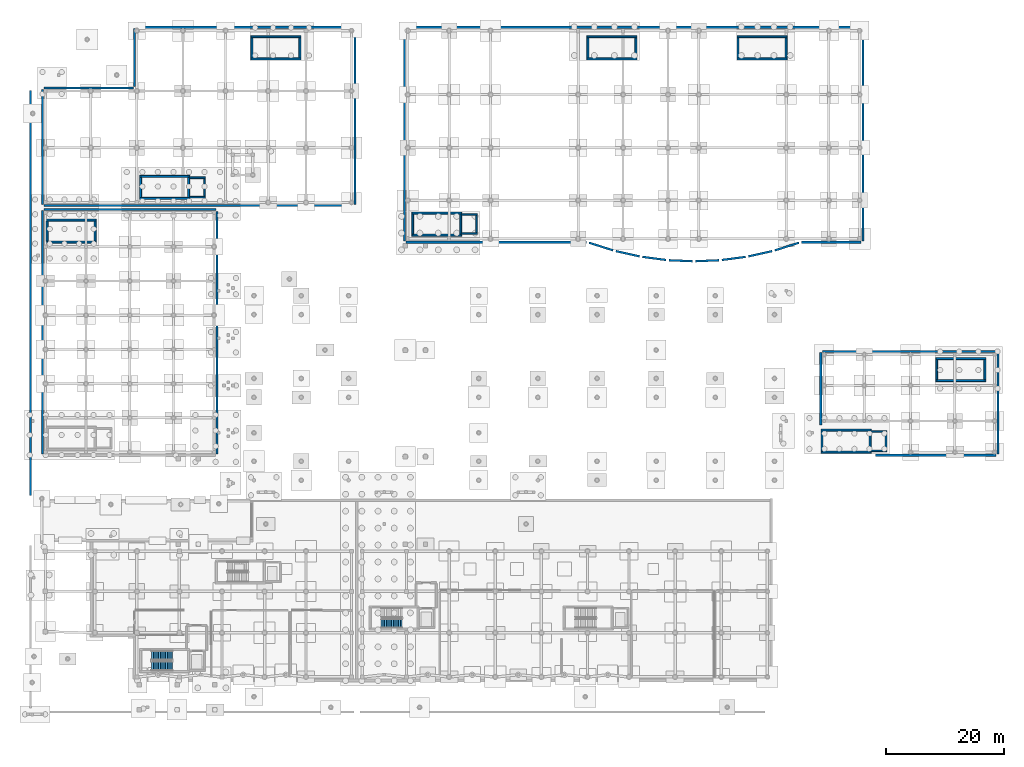
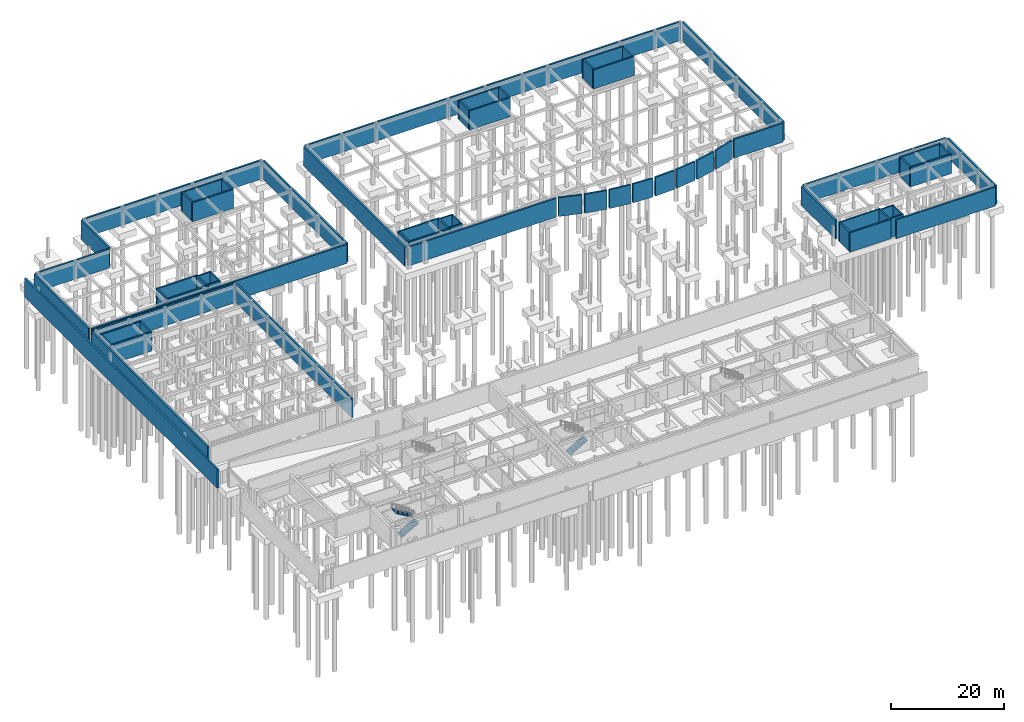
# One storey, part 18 of 22: 68 walls, 3 stair flights, 2 elements without a shape of their own.
"""IFC4 building model written with IfcOpenShell, lengths in metres."""

from ifc_helpers import new_model, si_unit, direction, frame, frame_2d, origin, place, context, subcontext, project, spatial, polyline, rectangle, outline, extrude, material, layer, layer_set, type_object, element, aggregate, save


model = new_model("IFC4")

# Units and contexts
model_context = context("Model", 3, precision=1e-05, world=origin(), true_north=direction((0.0, 1.0)))
body_context = subcontext(model_context, "Body", "Model", "MODEL_VIEW")
ifc_project = project(units=[si_unit("LENGTHUNIT", "METRE"), si_unit("AREAUNIT", "SQUARE_METRE"), si_unit("VOLUMEUNIT", "CUBIC_METRE"), si_unit("PLANEANGLEUNIT", "RADIAN"), si_unit("MASSUNIT", "GRAM", prefix="KILO")], contexts=[model_context])

# Site, building, storey
site_placement = place(None, origin())
site = spatial("IfcSite", under=ifc_project, at=site_placement, CompositionType="ELEMENT")
building_placement = place(site_placement, origin())
building = spatial("IfcBuilding", under=site, at=building_placement, Name="Valcora Specialist Clinic", CompositionType="ELEMENT")
storey_placement = place(building_placement, frame((0.0, 0.0, -4.419921875)))
storey = spatial("IfcBuildingStorey", under=building, at=storey_placement, Name="B1", CompositionType="ELEMENT", Elevation=-4.419921875)

# Walls
ifc_material_1 = material(Name="Concrete C40/50", Category="concrete")
ifc_layer_1 = layer(ifc_material_1, 0.320068359375)
ifc_layer_set_1 = layer_set([ifc_layer_1], Name="Concrete C40/50")
wall_type_1 = type_object("IfcWallType", Name="TY-WL-CR320", PredefinedType="SHEAR", material=ifc_layer_set_1)
for number, where, z_axis, x_axis, name in (
    (1, (0.8798828125, 74.239990234375, 0.0), (0.0, 0.0, 1.0), (1.0, 0.0, 0.0), "Core shear wall WL-CR-C-V1B-B1-S"),
    (2, (0.8798828125, 77.9599609375, 0.0), (0.0, 0.0, 1.0), (1.0, 0.0, 0.0), "Core shear wall WL-CR-C-V1B-B1-N"),
):
    element("IfcWall", number, at=place(storey_placement, frame(where, z_axis=z_axis, x_axis=x_axis)), inside=storey, type_object=wall_type_1, Name=name, PredefinedType="SHEAR", context=body_context, shape_type="SweptSolid", body=[
        extrude(rectangle(XDim=8.440185546875, YDim=0.320068359375, at=frame_2d((4.22021484375, 0.0))), origin(), (0.0, 0.0, 1.0), 4.119873046875),
    ])
for number, where, z_axis, x_axis, name in (
    (3, (1.0400390625, 74.402099609375, 0.0), (0.0, 0.0, 1.0), (0.0, 1.0, 0.0), "Core shear wall WL-CR-C-V1B-B1-W"),
    (4, (9.159912109375, 74.402099609375, 0.0), (0.0, 0.0, 1.0), (0.0, 1.0, 0.0), "Core shear wall WL-CR-C-V1B-B1-E"),
):
    element("IfcWall", number, at=place(storey_placement, frame(where, z_axis=z_axis, x_axis=x_axis)), inside=storey, type_object=wall_type_1, Name=name, PredefinedType="SHEAR", context=body_context, shape_type="SweptSolid", body=[
        extrude(rectangle(XDim=3.39599609375, YDim=0.320068359375, at=frame_2d((1.697998046875, 0.0))), origin(), (0.0, 0.0, 1.0), 4.119873046875),
    ])
for number, where, z_axis, x_axis, name in (
    (5, (16.679931640625, 81.639892578125, 0.0), (0.0, 0.0, 1.0), (1.0, 0.0, 0.0), "Core shear wall WL-CR-C-V2A-B1-S"),
    (6, (16.679931640625, 85.360107421875, 0.0), (0.0, 0.0, 1.0), (1.0, 0.0, 0.0), "Core shear wall WL-CR-C-V2A-B1-N"),
):
    element("IfcWall", number, at=place(storey_placement, frame(where, z_axis=z_axis, x_axis=x_axis)), inside=storey, type_object=wall_type_1, Name=name, PredefinedType="SHEAR", context=body_context, shape_type="SweptSolid", body=[
        extrude(rectangle(XDim=8.440185546875, YDim=0.320068359375, at=frame_2d((4.22021484375, 0.0))), origin(), (0.0, 0.0, 1.0), 4.08984375),
    ])
for number, where, z_axis, x_axis, name in (
    (7, (16.840087890625, 81.802001953125, 0.0), (0.0, 0.0, 1.0), (0.0, 1.0, 0.0), "Core shear wall WL-CR-C-V2A-B1-W"),
    (8, (24.9599609375, 81.802001953125, 0.0), (0.0, 0.0, 1.0), (0.0, 1.0, 0.0), "Core shear wall WL-CR-C-V2A-B1-E"),
):
    element("IfcWall", number, at=place(storey_placement, frame(where, z_axis=z_axis, x_axis=x_axis)), inside=storey, type_object=wall_type_1, Name=name, PredefinedType="SHEAR", context=body_context, shape_type="SweptSolid", body=[
        extrude(rectangle(XDim=3.39599609375, YDim=0.320068359375, at=frame_2d((1.697998046875, 0.0))), origin(), (0.0, 0.0, 1.0), 4.08984375),
    ])
for number, where, z_axis, x_axis, name in (
    (9, (35.47998046875, 105.239990234375, 0.0), (0.0, 0.0, 1.0), (1.0, 0.0, 0.0), "Core shear wall WL-CR-C-V2B-B1-S"),
    (10, (35.47998046875, 108.9599609375, 0.0), (0.0, 0.0, 1.0), (1.0, 0.0, 0.0), "Core shear wall WL-CR-C-V2B-B1-N"),
):
    element("IfcWall", number, at=place(storey_placement, frame(where, z_axis=z_axis, x_axis=x_axis)), inside=storey, type_object=wall_type_1, Name=name, PredefinedType="SHEAR", context=body_context, shape_type="SweptSolid", body=[
        extrude(rectangle(XDim=8.43994140625, YDim=0.320068359375, at=frame_2d((4.219970703125, 0.0))), origin(), (0.0, 0.0, 1.0), 4.08984375),
    ])
for number, where, z_axis, x_axis, name in (
    (11, (35.639892578125, 105.402099609375, 0.0), (0.0, 0.0, 1.0), (0.0, 1.0, 0.0), "Core shear wall WL-CR-C-V2B-B1-W"),
    (12, (43.760009765625, 105.402099609375, 0.0), (0.0, 0.0, 1.0), (0.0, 1.0, 0.0), "Core shear wall WL-CR-C-V2B-B1-E"),
):
    element("IfcWall", number, at=place(storey_placement, frame(where, z_axis=z_axis, x_axis=x_axis)), inside=storey, type_object=wall_type_1, Name=name, PredefinedType="SHEAR", context=body_context, shape_type="SweptSolid", body=[
        extrude(rectangle(XDim=3.39599609375, YDim=0.320068359375, at=frame_2d((1.697998046875, 0.0))), origin(), (0.0, 0.0, 1.0), 4.08984375),
    ])
for number, where, z_axis, x_axis, name in (
    (13, (131.8798828125, 38.739990234375, 0.0), (0.0, 0.0, 1.0), (1.0, 0.0, 0.0), "Core shear wall WL-CR-C-V3A-B1-S"),
    (14, (131.8798828125, 42.4599609375, 0.0), (0.0, 0.0, 1.0), (1.0, 0.0, 0.0), "Core shear wall WL-CR-C-V3A-B1-N"),
):
    element("IfcWall", number, at=place(storey_placement, frame(where, z_axis=z_axis, x_axis=x_axis)), inside=storey, type_object=wall_type_1, Name=name, PredefinedType="SHEAR", context=body_context, shape_type="SweptSolid", body=[
        extrude(rectangle(XDim=8.440185546875, YDim=0.320068359375, at=frame_2d((4.22021484375, 0.0))), origin(), (0.0, 0.0, 1.0), 4.159912109375),
    ])
for number, where, z_axis, x_axis, name in (
    (15, (132.0400390625, 38.902099609375, 0.0), (0.0, 0.0, 1.0), (0.0, 1.0, 0.0), "Core shear wall WL-CR-C-V3A-B1-W"),
    (16, (140.159912109375, 38.902099609375, 0.0), (0.0, 0.0, 1.0), (0.0, 1.0, 0.0), "Core shear wall WL-CR-C-V3A-B1-E"),
):
    element("IfcWall", number, at=place(storey_placement, frame(where, z_axis=z_axis, x_axis=x_axis)), inside=storey, type_object=wall_type_1, Name=name, PredefinedType="SHEAR", context=body_context, shape_type="SweptSolid", body=[
        extrude(rectangle(XDim=3.39599609375, YDim=0.320068359375, at=frame_2d((1.697998046875, 0.0))), origin(), (0.0, 0.0, 1.0), 4.159912109375),
    ])
for number, where, z_axis, x_axis, name in (
    (17, (151.280029296875, 50.840087890625, 0.0), (0.0, 0.0, 1.0), (1.0, 0.0, 0.0), "Core shear wall WL-CR-C-V3B-B1-S"),
    (18, (151.280029296875, 54.56005859375, 0.0), (0.0, 0.0, 1.0), (1.0, 0.0, 0.0), "Core shear wall WL-CR-C-V3B-B1-N"),
):
    element("IfcWall", number, at=place(storey_placement, frame(where, z_axis=z_axis, x_axis=x_axis)), inside=storey, type_object=wall_type_1, Name=name, PredefinedType="SHEAR", context=body_context, shape_type="SweptSolid", body=[
        extrude(rectangle(XDim=8.43994140625, YDim=0.320068359375, at=frame_2d((4.219970703125, 0.0))), origin(), (0.0, 0.0, 1.0), 4.159912109375),
    ])
for number, where, z_axis, x_axis, name in (
    (19, (151.43994140625, 51.001953125, 0.0), (0.0, 0.0, 1.0), (0.0, 1.0, 0.0), "Core shear wall WL-CR-C-V3B-B1-W"),
    (20, (159.56005859375, 51.001953125, 0.0), (0.0, 0.0, 1.0), (0.0, 1.0, 0.0), "Core shear wall WL-CR-C-V3B-B1-E"),
):
    element("IfcWall", number, at=place(storey_placement, frame(where, z_axis=z_axis, x_axis=x_axis)), inside=storey, type_object=wall_type_1, Name=name, PredefinedType="SHEAR", context=body_context, shape_type="SweptSolid", body=[
        extrude(rectangle(XDim=3.39599609375, YDim=0.320068359375, at=frame_2d((1.697998046875, 0.0))), origin(), (0.0, 0.0, 1.0), 4.159912109375),
    ])
for number, where, z_axis, x_axis, name in (
    (21, (62.679931640625, 75.43994140625, 0.0), (0.0, 0.0, 1.0), (1.0, 0.0, 0.0), "Core shear wall WL-CR-C-V4A-B1-S"),
    (22, (62.679931640625, 79.159912109375, 0.0), (0.0, 0.0, 1.0), (1.0, 0.0, 0.0), "Core shear wall WL-CR-C-V4A-B1-N"),
):
    element("IfcWall", number, at=place(storey_placement, frame(where, z_axis=z_axis, x_axis=x_axis)), inside=storey, type_object=wall_type_1, Name=name, PredefinedType="SHEAR", context=body_context, shape_type="SweptSolid", body=[
        extrude(rectangle(XDim=8.440185546875, YDim=0.320068359375, at=frame_2d((4.22021484375, 0.0))), origin(), (0.0, 0.0, 1.0), 4.119873046875),
    ])
for number, where, z_axis, x_axis, name in (
    (23, (62.840087890625, 75.60205078125, 0.0), (0.0, 0.0, 1.0), (0.0, 1.0, 0.0), "Core shear wall WL-CR-C-V4A-B1-W"),
    (24, (70.9599609375, 75.60205078125, 0.0), (0.0, 0.0, 1.0), (0.0, 1.0, 0.0), "Core shear wall WL-CR-C-V4A-B1-E"),
):
    element("IfcWall", number, at=place(storey_placement, frame(where, z_axis=z_axis, x_axis=x_axis)), inside=storey, type_object=wall_type_1, Name=name, PredefinedType="SHEAR", context=body_context, shape_type="SweptSolid", body=[
        extrude(rectangle(XDim=3.39599609375, YDim=0.320068359375, at=frame_2d((1.697998046875, 0.0))), origin(), (0.0, 0.0, 1.0), 4.119873046875),
    ])
for number, where, z_axis, x_axis, name in (
    (25, (92.280029296875, 105.239990234375, 0.0), (0.0, 0.0, 1.0), (1.0, 0.0, 0.0), "Core shear wall WL-CR-C-V4B-B1-S"),
    (26, (92.280029296875, 108.9599609375, 0.0), (0.0, 0.0, 1.0), (1.0, 0.0, 0.0), "Core shear wall WL-CR-C-V4B-B1-N"),
):
    element("IfcWall", number, at=place(storey_placement, frame(where, z_axis=z_axis, x_axis=x_axis)), inside=storey, type_object=wall_type_1, Name=name, PredefinedType="SHEAR", context=body_context, shape_type="SweptSolid", body=[
        extrude(rectangle(XDim=8.43994140625, YDim=0.320068359375, at=frame_2d((4.219970703125, 0.0))), origin(), (0.0, 0.0, 1.0), 4.119873046875),
    ])
for number, where, z_axis, x_axis, name in (
    (27, (92.43994140625, 105.402099609375, 0.0), (0.0, 0.0, 1.0), (0.0, 1.0, 0.0), "Core shear wall WL-CR-C-V4B-B1-W"),
    (28, (100.56005859375, 105.402099609375, 0.0), (0.0, 0.0, 1.0), (0.0, 1.0, 0.0), "Core shear wall WL-CR-C-V4B-B1-E"),
):
    element("IfcWall", number, at=place(storey_placement, frame(where, z_axis=z_axis, x_axis=x_axis)), inside=storey, type_object=wall_type_1, Name=name, PredefinedType="SHEAR", context=body_context, shape_type="SweptSolid", body=[
        extrude(rectangle(XDim=3.39599609375, YDim=0.320068359375, at=frame_2d((1.697998046875, 0.0))), origin(), (0.0, 0.0, 1.0), 4.119873046875),
    ])
for number, where, z_axis, x_axis, name in (
    (29, (117.679931640625, 105.239990234375, 0.0), (0.0, 0.0, 1.0), (1.0, 0.0, 0.0), "Core shear wall WL-CR-C-V4C-B1-S"),
    (30, (117.679931640625, 108.9599609375, 0.0), (0.0, 0.0, 1.0), (1.0, 0.0, 0.0), "Core shear wall WL-CR-C-V4C-B1-N"),
):
    element("IfcWall", number, at=place(storey_placement, frame(where, z_axis=z_axis, x_axis=x_axis)), inside=storey, type_object=wall_type_1, Name=name, PredefinedType="SHEAR", context=body_context, shape_type="SweptSolid", body=[
        extrude(rectangle(XDim=8.440185546875, YDim=0.320068359375, at=frame_2d((4.22021484375, 0.0))), origin(), (0.0, 0.0, 1.0), 4.119873046875),
    ])
for number, where, z_axis, x_axis, name in (
    (31, (117.840087890625, 105.402099609375, 0.0), (0.0, 0.0, 1.0), (0.0, 1.0, 0.0), "Core shear wall WL-CR-C-V4C-B1-W"),
    (32, (125.9599609375, 105.402099609375, 0.0), (0.0, 0.0, 1.0), (0.0, 1.0, 0.0), "Core shear wall WL-CR-C-V4C-B1-E"),
):
    element("IfcWall", number, at=place(storey_placement, frame(where, z_axis=z_axis, x_axis=x_axis)), inside=storey, type_object=wall_type_1, Name=name, PredefinedType="SHEAR", context=body_context, shape_type="SweptSolid", body=[
        extrude(rectangle(XDim=3.39599609375, YDim=0.320068359375, at=frame_2d((1.697998046875, 0.0))), origin(), (0.0, 0.0, 1.0), 4.119873046875),
    ])
ifc_material_2 = material(Name="Extruded Jalisco Clay Brick Masonry", Category="masonry")
ifc_layer_2 = layer(ifc_material_2, 0.35498046875)
ifc_layer_set_2 = layer_set([ifc_layer_2], Name="Extruded Jalisco Clay Brick Masonry")
wall_type_2 = type_object("IfcWallType", Name="TY-WL-EW355", PredefinedType="SOLIDWALL", material=ifc_layer_set_2)
wall_1_placement = place(storey_placement, frame((0.219970703125, 38.43994140625, 0.0), z_axis=(0.0, 0.0, 1.0), x_axis=(0.0, 1.0, 0.0)))
element("IfcWall", 33, at=wall_1_placement, inside=storey, type_object=wall_type_2, Name="Sub-grade brick plinth wall 1", PredefinedType="SOLIDWALL", context=body_context, shape_type="SweptSolid", body=[
    extrude(rectangle(XDim=41.1201171875, YDim=0.35498046875, at=frame_2d((20.56005859375, 0.0))), origin(), (0.0, 0.0, 1.0), 4.079833984375),
])
wall_2_placement = place(storey_placement, frame((0.535400390625, 79.780029296875, 0.0), z_axis=(0.0, 0.0, 1.0), x_axis=(1.0, 0.0, 0.0)))
element("IfcWall", 34, at=wall_2_placement, inside=storey, type_object=wall_type_2, Name="Sub-grade brick plinth wall 2", PredefinedType="SOLIDWALL", context=body_context, shape_type="SweptSolid", body=[
    extrude(rectangle(XDim=29.024658203125, YDim=0.35498046875, at=frame_2d((14.51220703125, 0.0))), origin(), (0.0, 0.0, 1.0), 4.079833984375),
])
wall_3_placement = place(storey_placement, frame((29.780029296875, 79.464599609375, 0.0), z_axis=(0.0, 0.0, 1.0), x_axis=(0.0, -1.0, 0.0)))
element("IfcWall", 35, at=wall_3_placement, inside=storey, type_object=wall_type_2, Name="Sub-grade brick plinth wall 3", PredefinedType="SOLIDWALL", context=body_context, shape_type="SweptSolid", body=[
    extrude(rectangle(XDim=41.024658203125, YDim=0.35498046875, at=frame_2d((20.51220703125, 0.0))), origin(), (0.0, 0.0, 1.0), 4.079833984375),
])
wall_4_placement = place(storey_placement, frame((0.219970703125, 80.639892578125, 0.0), z_axis=(0.0, 0.0, 1.0), x_axis=(0.0, 1.0, 0.0)))
element("IfcWall", 36, at=wall_4_placement, inside=storey, type_object=wall_type_2, Name="Sub-grade brick plinth wall 5", PredefinedType="SOLIDWALL", context=body_context, shape_type="SweptSolid", body=[
    extrude(rectangle(XDim=19.420166015625, YDim=0.35498046875, at=frame_2d((9.7099609375, 0.0))), origin(), (0.0, 0.0, 1.0), 4.079833984375),
])
wall_5_placement = place(storey_placement, frame((0.535400390625, 100.280029296875, 0.0), z_axis=(0.0, 0.0, 1.0), x_axis=(1.0, 0.0, 0.0)))
element("IfcWall", 37, at=wall_5_placement, inside=storey, type_object=wall_type_2, Name="Sub-grade brick plinth wall 6", PredefinedType="SOLIDWALL", context=body_context, shape_type="SweptSolid", body=[
    extrude(rectangle(XDim=15.064697265625, YDim=0.35498046875, at=frame_2d((7.5322265625, 0.0))), origin(), (0.0, 0.0, 1.0), 4.079833984375),
])
wall_6_placement = place(storey_placement, frame((15.820068359375, 100.595458984375, 0.0), z_axis=(0.0, 0.0, 1.0), x_axis=(0.0, 1.0, 0.0)))
element("IfcWall", 38, at=wall_6_placement, inside=storey, type_object=wall_type_2, Name="Sub-grade brick plinth wall 7", PredefinedType="SOLIDWALL", context=body_context, shape_type="SweptSolid", body=[
    extrude(rectangle(XDim=9.7646484375, YDim=0.35498046875, at=frame_2d((4.88232421875, 0.0))), origin(), (0.0, 0.0, 1.0), 4.079833984375),
])
wall_7_placement = place(storey_placement, frame((16.135498046875, 110.580078125, 0.0), z_axis=(0.0, 0.0, 1.0), x_axis=(1.0, 0.0, 0.0)))
element("IfcWall", 39, at=wall_7_placement, inside=storey, type_object=wall_type_2, Name="Sub-grade brick plinth wall 8", PredefinedType="SOLIDWALL", context=body_context, shape_type="SweptSolid", body=[
    extrude(rectangle(XDim=36.724609375, YDim=0.35498046875, at=frame_2d((18.3623046875, 0.0))), origin(), (0.0, 0.0, 1.0), 4.079833984375),
])
wall_8_placement = place(storey_placement, frame((53.080078125, 110.264404296875, 0.0), z_axis=(0.0, 0.0, 1.0), x_axis=(0.0, -1.0, 0.0)))
element("IfcWall", 40, at=wall_8_placement, inside=storey, type_object=wall_type_2, Name="Sub-grade brick plinth wall 9", PredefinedType="SOLIDWALL", context=body_context, shape_type="SweptSolid", body=[
    extrude(rectangle(XDim=29.62451171875, YDim=0.35498046875, at=frame_2d((14.812255859375, 0.0))), origin(), (0.0, 0.0, 1.0), 4.079833984375),
])
wall_9_placement = place(storey_placement, frame((52.764404296875, 80.419921875, 0.0), z_axis=(0.0, 0.0, 1.0), x_axis=(-1.0, 0.0, 0.0)))
element("IfcWall", 41, at=wall_9_placement, inside=storey, type_object=wall_type_2, Name="Sub-grade brick plinth wall 10", PredefinedType="SOLIDWALL", context=body_context, shape_type="SweptSolid", body=[
    extrude(rectangle(XDim=52.22900390625, YDim=0.35498046875, at=frame_2d((26.114501953125, 0.0))), origin(), (0.0, 0.0, 1.0), 4.079833984375),
])
wall_10_placement = place(storey_placement, frame((131.820068359375, 43.3701171875, 0.0), z_axis=(0.0, 0.0, 1.0), x_axis=(0.0, 1.0, 0.0)))
element("IfcWall", 42, at=wall_10_placement, inside=storey, type_object=wall_type_2, Name="Sub-grade brick plinth wall 11", PredefinedType="SOLIDWALL", context=body_context, shape_type="SweptSolid", body=[
    extrude(rectangle(XDim=12.18994140625, YDim=0.35498046875, at=frame_2d((6.094970703125, 0.0))), origin(), (0.0, 0.0, 1.0), 4.079833984375),
])
wall_11_placement = place(storey_placement, frame((132.135498046875, 55.780029296875, 0.0), z_axis=(0.0, 0.0, 1.0), x_axis=(1.0, 0.0, 0.0)))
element("IfcWall", 43, at=wall_11_placement, inside=storey, type_object=wall_type_2, Name="Sub-grade brick plinth wall 12", PredefinedType="SOLIDWALL", context=body_context, shape_type="SweptSolid", body=[
    extrude(rectangle(XDim=29.424560546875, YDim=0.35498046875, at=frame_2d((14.71240234375, 0.0))), origin(), (0.0, 0.0, 1.0), 4.079833984375),
])
wall_12_placement = place(storey_placement, frame((161.780029296875, 55.464599609375, 0.0), z_axis=(0.0, 0.0, 1.0), x_axis=(0.0, -1.0, 0.0)))
element("IfcWall", 44, at=wall_12_placement, inside=storey, type_object=wall_type_2, Name="Sub-grade brick plinth wall 13", PredefinedType="SOLIDWALL", context=body_context, shape_type="SweptSolid", body=[
    extrude(rectangle(XDim=17.024658203125, YDim=0.35498046875, at=frame_2d((8.51220703125, 0.0))), origin(), (0.0, 0.0, 1.0), 4.079833984375),
])
wall_13_placement = place(storey_placement, frame((161.464599609375, 38.219970703125, 0.0), z_axis=(0.0, 0.0, 1.0), x_axis=(-1.0, 0.0, 0.0)))
element("IfcWall", 45, at=wall_13_placement, inside=storey, type_object=wall_type_2, Name="Sub-grade brick plinth wall 14", PredefinedType="SOLIDWALL", context=body_context, shape_type="SweptSolid", body=[
    extrude(rectangle(XDim=20.39453125, YDim=0.35498046875, at=frame_2d((10.197265625, 0.0))), origin(), (0.0, 0.0, 1.0), 4.079833984375),
])
wall_14_placement = place(storey_placement, frame((61.419921875, 74.43994140625, 0.0), z_axis=(0.0, 0.0, 1.0), x_axis=(0.0, 1.0, 0.0)))
element("IfcWall", 46, at=wall_14_placement, inside=storey, type_object=wall_type_2, Name="Sub-grade brick plinth wall 15", PredefinedType="SOLIDWALL", context=body_context, shape_type="SweptSolid", body=[
    extrude(rectangle(XDim=35.920166015625, YDim=0.35498046875, at=frame_2d((17.9599609375, 0.0))), origin(), (0.0, 0.0, 1.0), 4.079833984375),
])
wall_15_placement = place(storey_placement, frame((61.735595703125, 110.580078125, 0.0), z_axis=(0.0, 0.0, 1.0), x_axis=(1.0, 0.0, 0.0)))
element("IfcWall", 47, at=wall_15_placement, inside=storey, type_object=wall_type_2, Name="Sub-grade brick plinth wall 16", PredefinedType="SOLIDWALL", context=body_context, shape_type="SweptSolid", body=[
    extrude(rectangle(XDim=77.0244140625, YDim=0.35498046875, at=frame_2d((38.51220703125, 0.0))), origin(), (0.0, 0.0, 1.0), 4.079833984375),
])
wall_16_placement = place(storey_placement, frame((138.97998046875, 110.264404296875, 0.0), z_axis=(0.0, 0.0, 1.0), x_axis=(0.0, -1.0, 0.0)))
element("IfcWall", 48, at=wall_16_placement, inside=storey, type_object=wall_type_2, Name="Sub-grade brick plinth wall 17", PredefinedType="SOLIDWALL", context=body_context, shape_type="SweptSolid", body=[
    extrude(rectangle(XDim=35.824462890625, YDim=0.35498046875, at=frame_2d((17.912109375, 0.0))), origin(), (0.0, 0.0, 1.0), 4.079833984375),
])
wall_17_placement = place(storey_placement, frame((138.66455078125, 74.219970703125, 0.0), z_axis=(0.0, 0.0, 1.0), x_axis=(-1.0, 0.0, 0.0)))
element("IfcWall", 49, at=wall_17_placement, inside=storey, type_object=wall_type_2, Name="Sub-grade brick plinth wall 18", PredefinedType="SOLIDWALL", context=body_context, shape_type="SweptSolid", body=[
    extrude(rectangle(XDim=10.078857421875, YDim=0.35498046875, at=frame_2d((5.03955078125, 0.0))), origin(), (0.0, 0.0, 1.0), 4.079833984375),
])
wall_18_placement = place(storey_placement, frame((128.136474609375, 74.14697265625, 0.0), z_axis=(0.0, 0.0, 1.0), x_axis=(-0.952923535691, -0.303210710771, 0.0)))
element("IfcWall", 50, at=wall_18_placement, inside=storey, type_object=wall_type_2, Name="Sub-grade brick plinth wall 19", PredefinedType="SOLIDWALL", context=body_context, shape_type="SweptSolid", body=[
    extrude(rectangle(XDim=4.285888671875, YDim=0.35498046875, at=frame_2d((2.14306640625, 0.0))), origin(), (0.0, 0.0, 1.0), 4.079833984375),
])
wall_19_placement = place(storey_placement, frame((123.6083984375, 72.728515625, 0.0), z_axis=(0.0, 0.0, 1.0), x_axis=(-0.976284333634, -0.216492262914, 0.0)))
element("IfcWall", 51, at=wall_19_placement, inside=storey, type_object=wall_type_2, Name="Sub-grade brick plinth wall 20", PredefinedType="SOLIDWALL", context=body_context, shape_type="SweptSolid", body=[
    extrude(rectangle(XDim=4.129638671875, YDim=0.35498046875, at=frame_2d((2.06494140625, 0.0))), origin(), (0.0, 0.0, 1.0), 4.079833984375),
])
wall_20_placement = place(storey_placement, frame((119.123779296875, 71.755615234375, 0.0), z_axis=(0.0, 0.0, 1.0), x_axis=(-0.991517029402, -0.12997684565, 0.0)))
element("IfcWall", 52, at=wall_20_placement, inside=storey, type_object=wall_type_2, Name="Sub-grade brick plinth wall 21", PredefinedType="SOLIDWALL", context=body_context, shape_type="SweptSolid", body=[
    extrude(rectangle(XDim=4.05908203125, YDim=0.35498046875, at=frame_2d((2.029541015625, 0.0))), origin(), (0.0, 0.0, 1.0), 4.079833984375),
])
for number, where, z_axis, x_axis, name in (
    (53, (114.64111328125, 71.18896484375, 0.0), (0.0, 0.0, 1.0), (-0.99906175783, -0.043308244496, 0.0), "Sub-grade brick plinth wall 22"),
    (54, (110.16015625, 71.015625, 0.0), (0.0, 0.0, 1.0), (-0.99906175783, 0.043308244496, 0.0), "Sub-grade brick plinth wall 23"),
):
    element("IfcWall", number, at=place(storey_placement, frame(where, z_axis=z_axis, x_axis=x_axis)), inside=storey, type_object=wall_type_2, Name=name, PredefinedType="SOLIDWALL", context=body_context, shape_type="SweptSolid", body=[
        extrude(rectangle(XDim=4.02490234375, YDim=0.35498046875, at=frame_2d((2.012451171875, 0.0))), origin(), (0.0, 0.0, 1.0), 4.079833984375),
    ])
wall_21_placement = place(storey_placement, frame((105.68115234375, 71.230712890625, 0.0), z_axis=(0.0, 0.0, 1.0), x_axis=(-0.991518045427, 0.129969094757, 0.0)))
element("IfcWall", 55, at=wall_21_placement, inside=storey, type_object=wall_type_2, Name="Sub-grade brick plinth wall 24", PredefinedType="SOLIDWALL", context=body_context, shape_type="SweptSolid", body=[
    extrude(rectangle(XDim=4.059326171875, YDim=0.35498046875, at=frame_2d((2.02978515625, 0.0))), origin(), (0.0, 0.0, 1.0), 4.079833984375),
])
wall_22_placement = place(storey_placement, frame((101.203857421875, 71.8388671875, 0.0), z_axis=(0.0, 0.0, 1.0), x_axis=(-0.976284333634, 0.216492262914, 0.0)))
element("IfcWall", 56, at=wall_22_placement, inside=storey, type_object=wall_type_2, Name="Sub-grade brick plinth wall 25", PredefinedType="SOLIDWALL", context=body_context, shape_type="SweptSolid", body=[
    extrude(rectangle(XDim=4.129638671875, YDim=0.35498046875, at=frame_2d((2.06494140625, 0.0))), origin(), (0.0, 0.0, 1.0), 4.079833984375),
])
wall_23_placement = place(storey_placement, frame((96.728515625, 72.853515625, 0.0), z_axis=(0.0, 0.0, 1.0), x_axis=(-0.952917551612, 0.303229516752, 0.0)))
element("IfcWall", 57, at=wall_23_placement, inside=storey, type_object=wall_type_2, Name="Sub-grade brick plinth wall 26", PredefinedType="SOLIDWALL", context=body_context, shape_type="SweptSolid", body=[
    extrude(rectangle(XDim=4.28662109375, YDim=0.35498046875, at=frame_2d((2.143310546875, 0.0))), origin(), (0.0, 0.0, 1.0), 4.079833984375),
])
wall_24_placement = place(storey_placement, frame((92.193603515625, 74.219970703125, 0.0), z_axis=(0.0, 0.0, 1.0), x_axis=(-1.0, 0.0, 0.0)))
element("IfcWall", 58, at=wall_24_placement, inside=storey, type_object=wall_type_2, Name="Sub-grade brick plinth wall 27", PredefinedType="SOLIDWALL", context=body_context, shape_type="SweptSolid", body=[
    extrude(rectangle(XDim=30.4580078125, YDim=0.35498046875, at=frame_2d((15.22900390625, 0.0))), origin(), (0.0, 0.0, 1.0), 4.079833984375),
])
wall_25_placement = place(storey_placement, frame((-1.800048828125, 31.419921875, 0.0), z_axis=(0.0, 0.0, 1.0), x_axis=(0.0, 1.0, 0.0)))
element("IfcWall", 59, at=wall_25_placement, inside=storey, type_object=wall_type_2, Name="Sub-grade brick plinth wall 31", PredefinedType="SOLIDWALL", context=body_context, shape_type="SweptSolid", body=[
    extrude(rectangle(XDim=68.4599609375, YDim=0.35498046875, at=frame_2d((34.22998046875, 0.0))), origin(), (0.0, 0.0, 1.0), 4.079833984375),
])
ifc_layer_3 = layer(ifc_material_1, 0.260009765625)
ifc_layer_set_3 = layer_set([ifc_layer_3], Name="Concrete C40/50")
wall_type_3 = type_object("IfcWallType", Name="TY-WL-SH260", PredefinedType="SHEAR", material=ifc_layer_set_3)
for number, where, z_axis, x_axis, name in (
    (60, (25.1220703125, 81.8701171875, 0.0), (0.0, 0.0, 1.0), (1.0, 0.0, 0.0), "Lift shaft wall WL-LF-LF-02-B1-LS"),
    (61, (25.1220703125, 85.1298828125, 0.0), (0.0, 0.0, 1.0), (1.0, 0.0, 0.0), "Lift shaft wall WL-LF-LF-02-B1-LN"),
):
    element("IfcWall", number, at=place(storey_placement, frame(where, z_axis=z_axis, x_axis=x_axis)), inside=storey, type_object=wall_type_3, Name=name, PredefinedType="SHEAR", context=body_context, shape_type="SweptSolid", body=[
        extrude(rectangle(XDim=2.657958984375, YDim=0.260009765625, at=frame_2d((1.3291015625, 0.0))), origin(), (0.0, 0.0, 1.0), 4.08984375),
    ])
wall_26_placement = place(storey_placement, frame((27.64990234375, 82.001953125, 0.0), z_axis=(0.0, 0.0, 1.0), x_axis=(0.0, 1.0, 0.0)))
element("IfcWall", 62, at=wall_26_placement, inside=storey, type_object=wall_type_3, Name="Lift shaft wall WL-LF-LF-02-B1-LE", PredefinedType="SHEAR", context=body_context, shape_type="SweptSolid", body=[
    extrude(rectangle(XDim=2.99609375, YDim=0.260009765625, at=frame_2d((1.498046875, 0.0))), origin(), (0.0, 0.0, 1.0), 4.08984375),
])
for number, where, z_axis, x_axis, name in (
    (63, (140.322021484375, 38.969970703125, 0.0), (0.0, 0.0, 1.0), (1.0, 0.0, 0.0), "Lift shaft wall WL-LF-LF-03-B1-LS"),
    (64, (140.322021484375, 42.22998046875, 0.0), (0.0, 0.0, 1.0), (1.0, 0.0, 0.0), "Lift shaft wall WL-LF-LF-03-B1-LN"),
):
    element("IfcWall", number, at=place(storey_placement, frame(where, z_axis=z_axis, x_axis=x_axis)), inside=storey, type_object=wall_type_3, Name=name, PredefinedType="SHEAR", context=body_context, shape_type="SweptSolid", body=[
        extrude(rectangle(XDim=2.657958984375, YDim=0.260009765625, at=frame_2d((1.3291015625, 0.0))), origin(), (0.0, 0.0, 1.0), 4.159912109375),
    ])
wall_27_placement = place(storey_placement, frame((142.85009765625, 39.10205078125, 0.0), z_axis=(0.0, 0.0, 1.0), x_axis=(0.0, 1.0, 0.0)))
element("IfcWall", 65, at=wall_27_placement, inside=storey, type_object=wall_type_3, Name="Lift shaft wall WL-LF-LF-03-B1-LE", PredefinedType="SHEAR", context=body_context, shape_type="SweptSolid", body=[
    extrude(rectangle(XDim=2.995849609375, YDim=0.260009765625, at=frame_2d((1.498046875, 0.0))), origin(), (0.0, 0.0, 1.0), 4.159912109375),
])
for number, where, z_axis, x_axis, name in (
    (66, (71.1220703125, 75.669921875, 0.0), (0.0, 0.0, 1.0), (1.0, 0.0, 0.0), "Lift shaft wall WL-LF-LF-04-B1-LS"),
    (67, (71.1220703125, 78.929931640625, 0.0), (0.0, 0.0, 1.0), (1.0, 0.0, 0.0), "Lift shaft wall WL-LF-LF-04-B1-LN"),
):
    element("IfcWall", number, at=place(storey_placement, frame(where, z_axis=z_axis, x_axis=x_axis)), inside=storey, type_object=wall_type_3, Name=name, PredefinedType="SHEAR", context=body_context, shape_type="SweptSolid", body=[
        extrude(rectangle(XDim=2.657958984375, YDim=0.260009765625, at=frame_2d((1.3291015625, 0.0))), origin(), (0.0, 0.0, 1.0), 4.119873046875),
    ])
wall_28_placement = place(storey_placement, frame((73.64990234375, 75.802001953125, 0.0), z_axis=(0.0, 0.0, 1.0), x_axis=(0.0, 1.0, 0.0)))
element("IfcWall", 68, at=wall_28_placement, inside=storey, type_object=wall_type_3, Name="Lift shaft wall WL-LF-LF-04-B1-LE", PredefinedType="SHEAR", context=body_context, shape_type="SweptSolid", body=[
    extrude(rectangle(XDim=2.99609375, YDim=0.260009765625, at=frame_2d((1.498046875, 0.0))), origin(), (0.0, 0.0, 1.0), 4.119873046875),
])

# Stair, stair flights
stair_type = type_object("IfcStairType", Name="TY-ST-DG442", PredefinedType="HALF_TURN_STAIR", material=ifc_material_1)
stair_1_placement = place(storey_placement, origin())
stair_1 = element("IfcStair", 69, at=stair_1_placement, inside=storey, type_object=stair_type, Name="B1 Core C-V5A stair ST-V5A", PredefinedType="HALF_TURN_STAIR")
stair_flight_type = type_object("IfcStairFlightType", Name="TY-SF-RC160", PredefinedType="STRAIGHT", material=ifc_material_1)
stair_flight_1_placement = place(storey_placement, frame((18.699951171875, 2.60009765625, 0.0), z_axis=(0.0, 0.0, 1.0), x_axis=(1.0, 0.0, 0.0)))
stair_flight_1 = element("IfcStairFlight", 70, at=stair_flight_1_placement, type_object=stair_flight_type, Name="ST-V5A flight 1", NumberOfRisers=13, NumberOfTreads=12, PredefinedType="STRAIGHT", RiserHeight=0.17, TreadLength=0.295, context=body_context, shape_type="SweptSolid", body=[
    extrude(outline(polyline([(0.0, 0.0), (0.0, 0.169921875), (0.294921875, 0.169921875), (0.294921875, 0.340087890625), (0.590087890625, 0.340087890625), (0.590087890625, 0.510009765625), (0.885009765625, 0.510009765625), (0.885009765625, 0.679931640625), (1.179931640625, 0.679931640625), (1.179931640625, 0.85009765625), (1.47509765625, 0.85009765625), (1.47509765625, 1.02001953125), (1.77001953125, 1.02001953125), (1.77001953125, 1.18994140625), (2.06494140625, 1.18994140625), (2.06494140625, 1.360107421875), (2.360107421875, 1.360107421875), (2.360107421875, 1.530029296875), (2.655029296875, 1.530029296875), (2.655029296875, 1.699951171875), (2.949951171875, 1.699951171875), (2.949951171875, 1.8701171875), (3.2451171875, 1.8701171875), (3.2451171875, 2.0400390625), (3.5400390625, 2.0400390625), (3.5400390625, 2.2099609375), (3.5400390625, 1.85546875), (0.3203125, 0.0), (0.0, 0.0)])), frame((0.0, 0.800048828125, 0.0), z_axis=(0.0, -1.0, 0.0), x_axis=(1.0, 0.0, 0.0)), (0.0, 0.0, 1.0), 1.60009765625),
])
stair_flight_2_placement = place(storey_placement, frame((22.239990234375, 4.39990234375, 2.2099609375), z_axis=(0.0, 0.0, 1.0), x_axis=(-1.0, 0.0, 0.0)))
stair_flight_2 = element("IfcStairFlight", 71, at=stair_flight_2_placement, type_object=stair_flight_type, Name="ST-V5A flight 2", NumberOfRisers=13, NumberOfTreads=12, PredefinedType="STRAIGHT", RiserHeight=0.17, TreadLength=0.295, context=body_context, shape_type="SweptSolid", body=[
    extrude(outline(polyline([(0.0, 0.0), (0.0, 0.169921875), (0.294921875, 0.169921875), (0.294921875, 0.340087890625), (0.590087890625, 0.340087890625), (0.590087890625, 0.510009765625), (0.885009765625, 0.510009765625), (0.885009765625, 0.679931640625), (1.179931640625, 0.679931640625), (1.179931640625, 0.85009765625), (1.47509765625, 0.85009765625), (1.47509765625, 1.02001953125), (1.77001953125, 1.02001953125), (1.77001953125, 1.18994140625), (2.06494140625, 1.18994140625), (2.06494140625, 1.360107421875), (2.360107421875, 1.360107421875), (2.360107421875, 1.530029296875), (2.655029296875, 1.530029296875), (2.655029296875, 1.699951171875), (2.949951171875, 1.699951171875), (2.949951171875, 1.8701171875), (3.2451171875, 1.8701171875), (3.2451171875, 2.0400390625), (3.5400390625, 2.0400390625), (3.5400390625, 2.2099609375), (3.5400390625, 1.85546875), (0.3203125, 0.0), (0.0, 0.0)])), frame((0.0, 0.800048828125, 0.0), z_axis=(0.0, -1.0, 0.0), x_axis=(1.0, 0.0, 0.0)), (0.0, 0.0, 1.0), 1.60009765625),
])
aggregate(stair_1, [stair_flight_1, stair_flight_2])

# Stair, stair flight
stair_2_placement = place(storey_placement, origin())
stair_2 = element("IfcStair", 72, at=stair_2_placement, inside=storey, type_object=stair_type, Name="B1 Core C-V6A stair ST-V6A", PredefinedType="HALF_TURN_STAIR")
stair_flight_3_placement = place(storey_placement, frame((57.5, 9.800048828125, 0.0), z_axis=(0.0, 0.0, 1.0), x_axis=(1.0, 0.0, 0.0)))
stair_flight_3 = element("IfcStairFlight", 73, at=stair_flight_3_placement, type_object=stair_flight_type, Name="ST-V6A flight 1", NumberOfRisers=13, NumberOfTreads=12, PredefinedType="STRAIGHT", RiserHeight=0.17, TreadLength=0.295, context=body_context, shape_type="SweptSolid", body=[
    extrude(outline(polyline([(0.0, 0.0), (0.0, 0.169921875), (0.294921875, 0.169921875), (0.294921875, 0.340087890625), (0.590087890625, 0.340087890625), (0.590087890625, 0.510009765625), (0.885009765625, 0.510009765625), (0.885009765625, 0.679931640625), (1.179931640625, 0.679931640625), (1.179931640625, 0.85009765625), (1.47509765625, 0.85009765625), (1.47509765625, 1.02001953125), (1.77001953125, 1.02001953125), (1.77001953125, 1.18994140625), (2.06494140625, 1.18994140625), (2.06494140625, 1.360107421875), (2.360107421875, 1.360107421875), (2.360107421875, 1.530029296875), (2.655029296875, 1.530029296875), (2.655029296875, 1.699951171875), (2.949951171875, 1.699951171875), (2.949951171875, 1.8701171875), (3.2451171875, 1.8701171875), (3.2451171875, 2.0400390625), (3.5400390625, 2.0400390625), (3.5400390625, 2.2099609375), (3.5400390625, 1.85546875), (0.3203125, 0.0), (0.0, 0.0)])), frame((0.0, 0.800048828125, 0.0), z_axis=(0.0, -1.0, 0.0), x_axis=(1.0, 0.0, 0.0)), (0.0, 0.0, 1.0), 1.60009765625),
])
aggregate(stair_2, [stair_flight_3])

save(model, "model.ifc")
